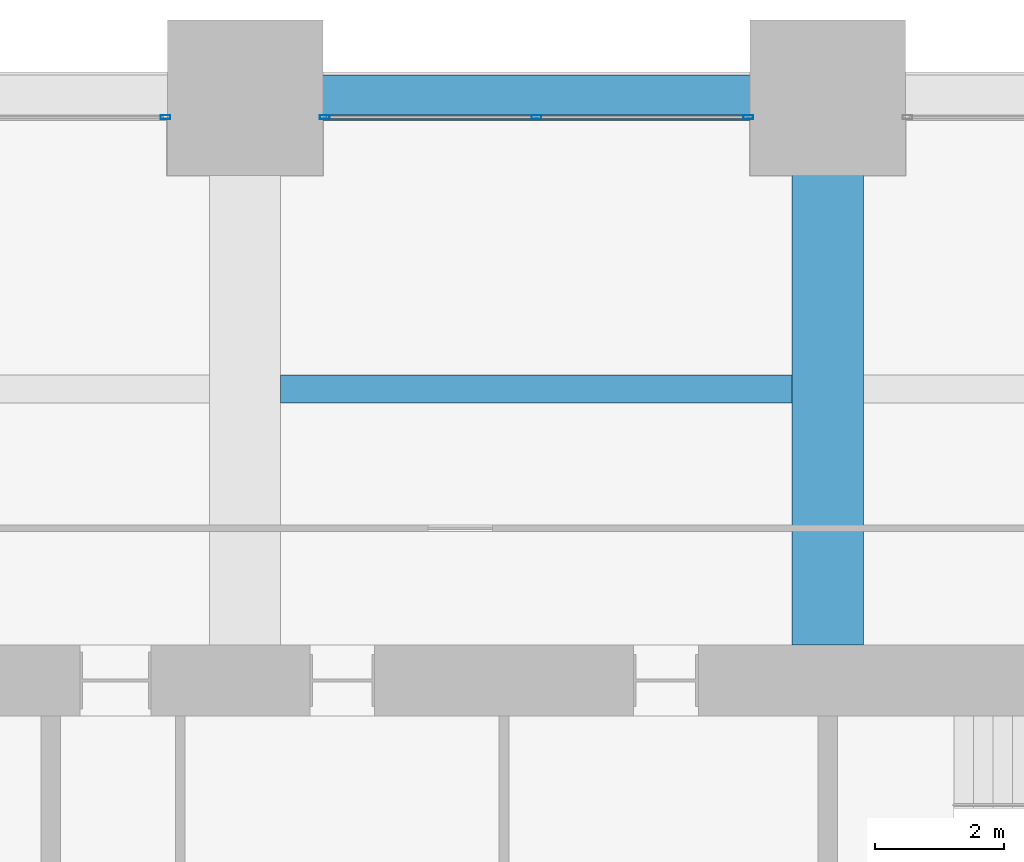
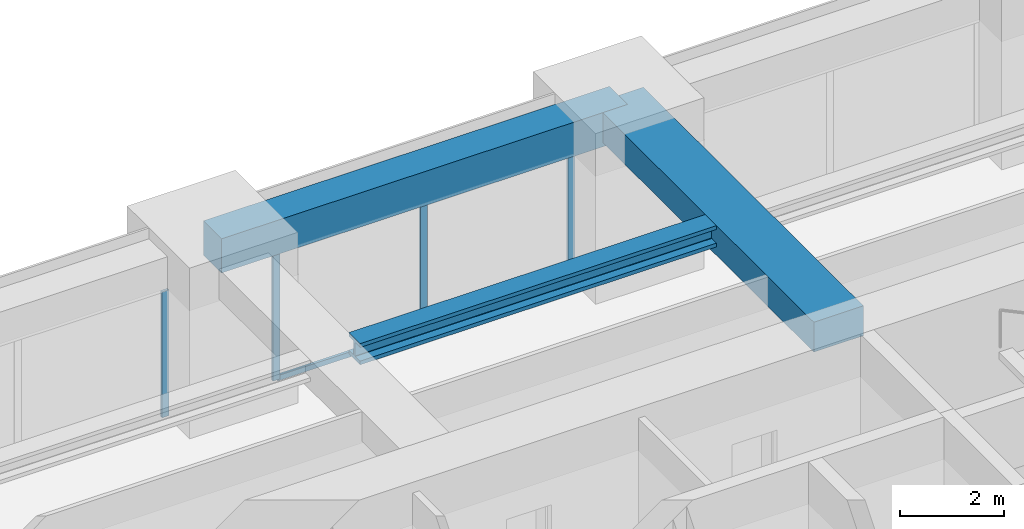
# One storey, part 25 of 34: 5 members, 3 beams, 2 elements without a shape of their own.
"""IFC4 building model written with IfcOpenShell, lengths in metres."""

from ifc_helpers import new_model, si_unit, direction, frame, origin, origin_2d, place, context, subcontext, project, spatial, rectangle, hollow_rectangle, i_section, extrude, material, material_profile, profile_set, type_object, element, aggregate, save


model = new_model("IFC4")

# Units and contexts
model_context = context("Model", 3, precision=1e-05, world=origin(), true_north=direction((0.0, 1.0)))
body_context = subcontext(model_context, "Body", "Model", "MODEL_VIEW")
ifc_project = project(units=[si_unit("LENGTHUNIT", "METRE"), si_unit("AREAUNIT", "SQUARE_METRE"), si_unit("VOLUMEUNIT", "CUBIC_METRE"), si_unit("PLANEANGLEUNIT", "RADIAN"), si_unit("MASSUNIT", "GRAM", prefix="KILO")], contexts=[model_context])

# Site, building, storey
site_placement = place(None, origin())
site = spatial("IfcSite", under=ifc_project, at=site_placement, CompositionType="ELEMENT")
building_placement = place(site_placement, origin())
building = spatial("IfcBuilding", under=site, at=building_placement, Name="Zorevar Civic Tower", CompositionType="ELEMENT")
storey_placement = place(building_placement, frame((0.0, 0.0, 174.199951171875)))
storey = spatial("IfcBuildingStorey", under=building, at=storey_placement, Name="L42", CompositionType="ELEMENT", Elevation=174.199951171875)

# Beam
ifc_material_1 = material(Name="Concrete C50/60", Category="concrete")
ifc_material_profile_1 = material_profile(ifc_material_1, rectangle(XDim=1.10009765625, YDim=0.699951171875, at=origin_2d()), Name="RC 1100x700")
ifc_profile_set_1 = profile_set([ifc_material_profile_1], Name="Concrete C50/60")
beam_type_1 = type_object("IfcBeamType", Name="Beam RC 1100x700", PredefinedType="BEAM", material=ifc_profile_set_1)
beam_1_placement = place(storey_placement, frame((36.0, 36.550048828125, 3.400146484375), z_axis=(0.0, 1.0, 0.0), x_axis=(-1.0, 0.0, 0.0)))
element("IfcBeam", 1, at=beam_1_placement, inside=storey, type_object=beam_type_1, Name="Girder L43", PredefinedType="BEAM", context=body_context, shape_type="SweptSolid", body=[
    extrude(rectangle(XDim=1.10009765625, YDim=0.699951171875, at=origin_2d()), origin(), (0.0, 0.0, 1.0), 8.449951171875),
])

# Curtain wall, member
ifc_material_2 = material(Name="Dark grey solar-control glass in black aluminium frame", Category="aluminium")
curtain_wall_type = type_object("IfcCurtainWallType", Name="Curtain wall CW4 high zone", PredefinedType="NOTDEFINED", material=ifc_material_2)
curtain_wall_1_placement = place(storey_placement, origin())
curtain_wall_1 = element("IfcCurtainWall", 2, at=curtain_wall_1_placement, inside=storey, type_object=curtain_wall_type, Name="CW4 L42", PredefinedType="NOTDEFINED")
ifc_material_3 = material(Name="Aluminium, black anodised", Category="aluminium")
ifc_material_profile_2 = material_profile(ifc_material_3, hollow_rectangle(XDim=0.06005859375, YDim=0.14990234375, WallThickness=0.00390625, at=origin_2d()), Name="AL 150x60x4")
ifc_profile_set_2 = profile_set([ifc_material_profile_2], Name="Aluminium, black anodised")
member_type_1 = type_object("IfcMemberType", Name="CW4 mullion AL 150x60x4", PredefinedType="MULLION", material=ifc_profile_set_2)
member_1_placement = place(storey_placement, frame((25.77001953125, 44.699951171875, 0.0), z_axis=(0.0, 0.0, 1.0), x_axis=(0.0, 1.0, 0.0)))
member_1 = element("IfcMember", 3, at=member_1_placement, type_object=member_type_1, Name="CW4 mullion 3", PredefinedType="MULLION", context=body_context, shape_type="SweptSolid", body=[
    extrude(hollow_rectangle(XDim=0.06005859375, YDim=0.14990234375, WallThickness=0.00390625, at=origin_2d()), origin(), (0.0, 0.0, 1.0), 2.949951171875),
])
aggregate(curtain_wall_1, [member_1])

# Curtain wall, members
curtain_wall_2_placement = place(storey_placement, origin())
curtain_wall_2 = element("IfcCurtainWall", 4, at=curtain_wall_2_placement, inside=storey, type_object=curtain_wall_type, Name="CW4 L42", PredefinedType="NOTDEFINED")
member_2_placement = place(storey_placement, frame((28.22998046875, 44.699951171875, 0.0), z_axis=(0.0, 0.0, 1.0), x_axis=(0.0, 1.0, 0.0)))
member_2 = element("IfcMember", 5, at=member_2_placement, type_object=member_type_1, Name="CW4 mullion 1", PredefinedType="MULLION", context=body_context, shape_type="SweptSolid", body=[
    extrude(hollow_rectangle(XDim=0.06005859375, YDim=0.14990234375, WallThickness=0.00390625, at=origin_2d()), origin(), (0.0, 0.0, 1.0), 2.949951171875),
])
member_3_placement = place(storey_placement, frame((31.5, 44.699951171875, 0.06005859375), z_axis=(0.0, 0.0, 1.0), x_axis=(0.0, 1.0, 0.0)))
member_3 = element("IfcMember", 6, at=member_3_placement, type_object=member_type_1, Name="CW4 mullion 2", PredefinedType="MULLION", context=body_context, shape_type="SweptSolid", body=[
    extrude(hollow_rectangle(XDim=0.06005859375, YDim=0.14990234375, WallThickness=0.00390625, at=origin_2d()), origin(), (0.0, 0.0, 1.0), 2.889892578125),
])
member_4_placement = place(storey_placement, frame((34.77001953125, 44.699951171875, 0.0), z_axis=(0.0, 0.0, 1.0), x_axis=(0.0, 1.0, 0.0)))
member_4 = element("IfcMember", 7, at=member_4_placement, type_object=member_type_1, Name="CW4 mullion 3", PredefinedType="MULLION", context=body_context, shape_type="SweptSolid", body=[
    extrude(hollow_rectangle(XDim=0.06005859375, YDim=0.14990234375, WallThickness=0.00390625, at=origin_2d()), origin(), (0.0, 0.0, 1.0), 2.949951171875),
])
ifc_material_4 = material(Name="Aluminium, black anodised", Category="aluminium")
ifc_material_profile_3 = material_profile(ifc_material_4, hollow_rectangle(XDim=0.06005859375, YDim=0.1201171875, WallThickness=0.0029296875, at=origin_2d()), Name="AL 120x60x3")
ifc_profile_set_3 = profile_set([ifc_material_profile_3], Name="Aluminium, black anodised")
member_type_2 = type_object("IfcMemberType", Name="CW4 transom AL 120x60x3", PredefinedType="USERDEFINED", material=ifc_profile_set_3)
member_5_placement = place(storey_placement, frame((28.260009765625, 44.699951171875, 0.030029296875), z_axis=(1.0, 0.0, 0.0), x_axis=(0.0, 1.0, 0.0)))
member_5 = element("IfcMember", 8, at=member_5_placement, type_object=member_type_2, Name="CW4 sill transom", ObjectType="TRANSOM", PredefinedType="USERDEFINED", context=body_context, shape_type="SweptSolid", body=[
    extrude(hollow_rectangle(XDim=0.06005859375, YDim=0.1201171875, WallThickness=0.0029296875, at=origin_2d()), origin(), (0.0, 0.0, 1.0), 6.47998046875),
])
aggregate(curtain_wall_2, [member_2, member_3, member_4, member_5])

# Beams
ifc_material_5 = material(Name="Steel S460M (HISTAR 460)", Category="steel")
ifc_material_profile_4 = material_profile(ifc_material_5, i_section(OverallWidth=0.431884765625, OverallDepth=0.498046875, WebThickness=0.0556640625, FlangeThickness=0.0888671875, FilletRadius=0.014892578125, at=origin_2d()), Name="HD 400x744")
ifc_profile_set_4 = profile_set([ifc_material_profile_4], Name="Steel S460M (HISTAR 460)")
beam_type_2 = type_object("IfcBeamType", Name="Core bay beam HD 400x744", PredefinedType="BEAM", material=ifc_profile_set_4)
beam_2_placement = place(storey_placement, frame((27.550048828125, 40.5, 3.5009765625), z_axis=(1.0, 0.0, 0.0), x_axis=(0.0, 1.0, 0.0)))
element("IfcBeam", 9, at=beam_2_placement, inside=storey, type_object=beam_type_2, Name="Secondary beam L43", PredefinedType="BEAM", context=body_context, shape_type="SweptSolid", body=[
    extrude(i_section(OverallWidth=0.431884765625, OverallDepth=0.498046875, WebThickness=0.0556640625, FlangeThickness=0.0888671875, FilletRadius=0.014892578125, at=origin_2d()), origin(), (0.0, 0.0, 1.0), 7.89990234375),
])
ifc_material_6 = material(Name="Concrete C50/60", Category="concrete")
ifc_material_profile_5 = material_profile(ifc_material_6, rectangle(XDim=0.699951171875, YDim=0.800048828125, at=origin_2d()), Name="RC 700x800")
ifc_profile_set_5 = profile_set([ifc_material_profile_5], Name="Concrete C50/60")
beam_type_3 = type_object("IfcBeamType", Name="Edge beam RC 700x800", PredefinedType="SPANDREL", material=ifc_profile_set_5)
beam_3_placement = place(storey_placement, frame((27.0, 45.0, 3.35009765625), z_axis=(1.0, 0.0, 0.0), x_axis=(0.0, 1.0, 0.0)))
element("IfcBeam", 10, at=beam_3_placement, inside=storey, type_object=beam_type_3, Name="Edge beam L43", PredefinedType="SPANDREL", context=body_context, shape_type="SweptSolid", body=[
    extrude(rectangle(XDim=0.699951171875, YDim=0.800048828125, at=origin_2d()), origin(), (0.0, 0.0, 1.0), 9.0),
])

save(model, "model.ifc")
